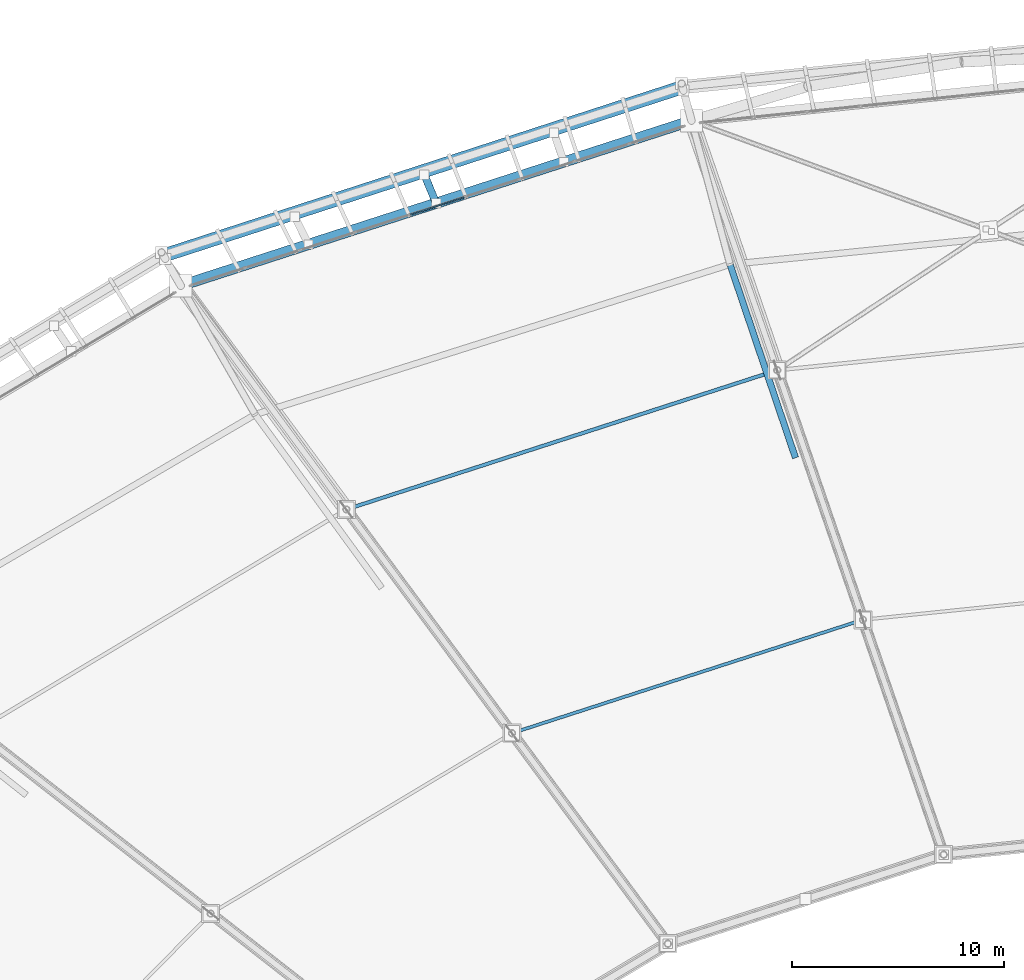
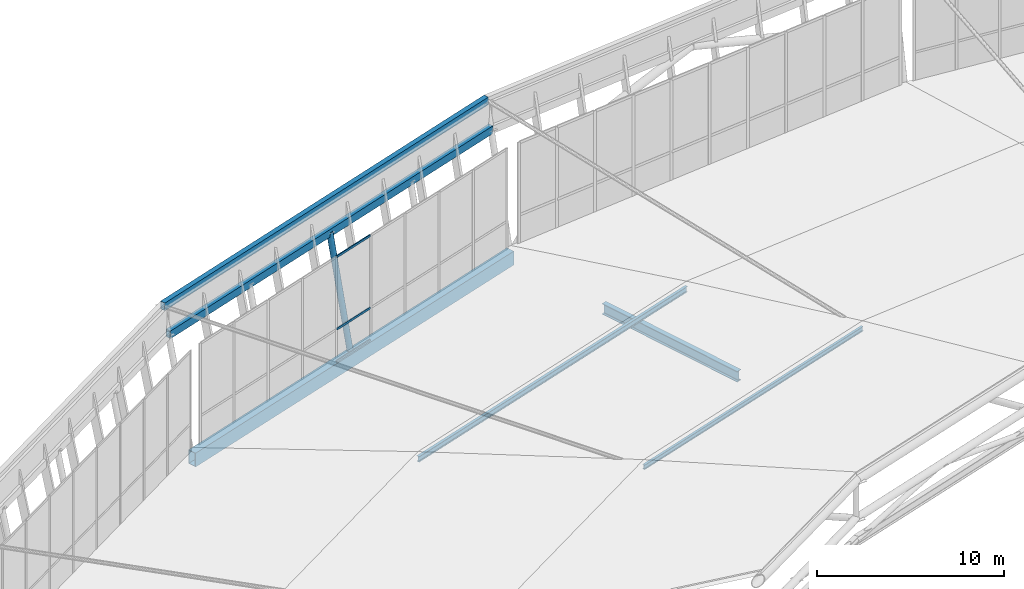
# One storey, part 65 of 115: 6 members, 4 beams, 1 element without a shape of its own.
"""IFC4 building model written with IfcOpenShell, lengths in metres."""

from ifc_helpers import new_model, si_unit, direction, frame, origin, origin_2d, place, context, subcontext, project, spatial, rectangle, hollow_rectangle, hollow_circle, i_section, extrude, material, material_profile, profile_set, type_object, element, aggregate, save


model = new_model("IFC4")

# Units and contexts
model_context = context("Model", 3, precision=1e-05, world=origin(), true_north=direction((0.0, 1.0)))
body_context = subcontext(model_context, "Body", "Model", "MODEL_VIEW")
ifc_project = project(units=[si_unit("LENGTHUNIT", "METRE"), si_unit("AREAUNIT", "SQUARE_METRE"), si_unit("VOLUMEUNIT", "CUBIC_METRE"), si_unit("PLANEANGLEUNIT", "RADIAN"), si_unit("MASSUNIT", "GRAM", prefix="KILO")], contexts=[model_context])

# Site, building, storey
site_placement = place(None, origin())
site = spatial("IfcSite", under=ifc_project, at=site_placement, CompositionType="ELEMENT")
building_placement = place(site_placement, origin())
building = spatial("IfcBuilding", under=site, at=building_placement, Name="Zlatoyarsky Gate Stadium", CompositionType="ELEMENT")
storey_placement = place(building_placement, frame((0.0, 0.0, 31.800048828125)))
storey = spatial("IfcBuildingStorey", under=building, at=storey_placement, Name="RF", CompositionType="ELEMENT", Elevation=31.800048828125)

# Curtain wall, members
ifc_material_1 = material(Name="Thermally broken anodised aluminium curtain wall", Category="aluminium")
curtain_wall_type = type_object("IfcCurtainWallType", Name="UNITISED SKYBOX RING GLAZING L05", PredefinedType="USERDEFINED", material=ifc_material_1)
curtain_wall_placement = place(storey_placement, origin())
curtain_wall = element("IfcCurtainWall", 1, at=curtain_wall_placement, inside=storey, type_object=curtain_wall_type, Name="Curtain wall CW-RF-07", ObjectType="UNITISED GLAZING", PredefinedType="USERDEFINED")
ifc_material_2 = material(Name="Anodised aluminium 6063-T6", Category="aluminium")
ifc_material_profile_1 = material_profile(ifc_material_2, rectangle(XDim=0.06494140625, YDim=0.139892578125, at=origin_2d()), Name="ALU 65X140")
ifc_profile_set_1 = profile_set([ifc_material_profile_1], Name="Anodised aluminium 6063-T6")
member_type_1 = type_object("IfcMemberType", Name="ALUMINIUM TRANSOM 65X140", PredefinedType="USERDEFINED", material=ifc_profile_set_1)
member_1_placement = place(storey_placement, frame((74.366943359375, 151.751708984375, 0.032470703125), z_axis=(-0.951615985175, -0.307289792801, 0.0), x_axis=(0.307289792801, -0.951615985175, 0.0)))
member_1 = element("IfcMember", 2, at=member_1_placement, type_object=member_type_1, Name="CW-UG5 transom 5.1", ObjectType="TRANSOM", PredefinedType="USERDEFINED", context=body_context, shape_type="SweptSolid", body=[
    extrude(rectangle(XDim=0.06494140625, YDim=0.139892578125, at=origin_2d()), origin(), (0.0, 0.0, 1.0), 2.6591796875),
])
member_2_placement = place(storey_placement, frame((74.366943359375, 151.751708984375, 2.14990234375), z_axis=(-0.951615985175, -0.307289792801, 0.0), x_axis=(0.307289792801, -0.951615985175, 0.0)))
member_2 = element("IfcMember", 3, at=member_2_placement, type_object=member_type_1, Name="CW-UG5 transom 5.2", ObjectType="TRANSOM", PredefinedType="USERDEFINED", context=body_context, shape_type="SweptSolid", body=[
    extrude(rectangle(XDim=0.06494140625, YDim=0.139892578125, at=origin_2d()), origin(), (0.0, 0.0, 1.0), 2.6591796875),
])
member_3_placement = place(storey_placement, frame((74.366943359375, 151.751708984375, 6.867431640625), z_axis=(-0.951615985175, -0.307289792801, 0.0), x_axis=(0.307289792801, -0.951615985175, 0.0)))
member_3 = element("IfcMember", 4, at=member_3_placement, type_object=member_type_1, Name="CW-UG5 transom 5.3", ObjectType="TRANSOM", PredefinedType="USERDEFINED", context=body_context, shape_type="SweptSolid", body=[
    extrude(rectangle(XDim=0.06494140625, YDim=0.139892578125, at=origin_2d()), origin(), (0.0, 0.0, 1.0), 2.6591796875),
])
aggregate(curtain_wall, [member_1, member_2, member_3])

# Members
ifc_material_3 = material(Name="Steel S355", Category="steel")
ifc_material_profile_2 = material_profile(ifc_material_3, i_section(OverallWidth=0.14990234375, OverallDepth=0.300048828125, WebThickness=0.007080078125, FlangeThickness=0.0107421875, FilletRadius=0.014892578125, at=origin_2d()), Name="IPE 300")
ifc_profile_set_2 = profile_set([ifc_material_profile_2], Name="Steel S355")
member_type_2 = type_object("IfcMemberType", Name="STEEL BOWL ROOF PURLIN IPE 300", PredefinedType="PURLIN", material=ifc_profile_set_2)
member_4_placement = place(storey_placement, frame((93.208984375, 131.79345703125, 6.329833984375), z_axis=(-0.951560451481, -0.307461716603, 0.0), x_axis=(0.307461716603, -0.951560451481, 0.0)))
element("IfcMember", 5, at=member_4_placement, inside=storey, type_object=member_type_2, Name="Stadium roof purlin 07.2", PredefinedType="PURLIN", context=body_context, shape_type="SweptSolid", body=[
    extrude(i_section(OverallWidth=0.14990234375, OverallDepth=0.300048828125, WebThickness=0.007080078125, FlangeThickness=0.0107421875, FilletRadius=0.014892578125, at=origin_2d()), origin(), (0.0, 0.0, 1.0), 17.42236328125),
])
ifc_material_profile_3 = material_profile(ifc_material_3, hollow_circle(Radius=0.177734375, WallThickness=0.02001953125, at=origin_2d()), Name="CHS 355.6X20")
ifc_profile_set_3 = profile_set([ifc_material_profile_3], Name="Steel S355")
member_type_3 = type_object("IfcMemberType", Name="STEEL LEANING RIB RING STRUT CHS 355.6X20", PredefinedType="STRUT", material=ifc_profile_set_3)
member_5_placement = place(storey_placement, frame((73.048583984375, 151.471435546875, -0.449951171875), z_axis=(-0.071968598129, 0.173721657737, 0.982161548075), x_axis=(-0.923859353885, -0.382732144245, 0.0)))
element("IfcMember", 6, at=member_5_placement, inside=storey, type_object=member_type_3, Name="Outward-leaning bowl louvre fin rib RF 07-2", PredefinedType="STRUT", context=body_context, shape_type="SweptSolid", body=[
    extrude(hollow_circle(Radius=0.177734375, WallThickness=0.02001953125, at=origin_2d()), origin(), (0.0, 0.0, 1.0), 7.73779296875),
])
ifc_material_profile_4 = material_profile(ifc_material_3, i_section(OverallWidth=0.169921875, OverallDepth=0.360107421875, WebThickness=0.008056640625, FlangeThickness=0.0126953125, FilletRadius=0.01806640625, at=origin_2d()), Name="IPE 360")
ifc_profile_set_4 = profile_set([ifc_material_profile_4], Name="Steel S355")
member_type_4 = type_object("IfcMemberType", Name="STEEL LONG SPAN PURLIN IPE 360", PredefinedType="PURLIN", material=ifc_profile_set_4)
member_6_placement = place(storey_placement, frame((89.159912109375, 143.581298828125, 3.179931640625), z_axis=(-0.951559496613, -0.3074646718, 0.0), x_axis=(0.3074646718, -0.951559496613, 0.0)))
element("IfcMember", 7, at=member_6_placement, inside=storey, type_object=member_type_4, Name="Stadium roof purlin 07.1", PredefinedType="PURLIN", context=body_context, shape_type="SweptSolid", body=[
    extrude(i_section(OverallWidth=0.169921875, OverallDepth=0.360107421875, WebThickness=0.008056640625, FlangeThickness=0.0126953125, FilletRadius=0.01806640625, at=origin_2d()), origin(), (0.0, 0.0, 1.0), 21.3876953125),
])

# Beams
ifc_material_profile_5 = material_profile(ifc_material_3, hollow_rectangle(XDim=0.300048828125, YDim=0.5, WallThickness=0.02001953125, at=origin_2d()), Name="RHS 500X300X20")
ifc_profile_set_5 = profile_set([ifc_material_profile_5], Name="Steel S355")
beam_type_1 = type_object("IfcBeamType", Name="STEEL LOUVRE CARRIER SPANDREL RHS 500X300X20", PredefinedType="SPANDREL", material=ifc_profile_set_5)
beam_1_placement = place(storey_placement, frame((84.731201171875, 156.78662109375, 7.14990234375), z_axis=(-0.951193244379, -0.308595871405, 0.0), x_axis=(0.308595871405, -0.951193244379, 0.0)))
element("IfcBeam", 8, at=beam_1_placement, inside=storey, type_object=beam_type_1, Name="Crown eaves fascia bottom carrier spandrel 07", PredefinedType="SPANDREL", context=body_context, shape_type="SweptSolid", body=[
    extrude(hollow_rectangle(XDim=0.300048828125, YDim=0.5, WallThickness=0.02001953125, at=origin_2d()), origin(), (0.0, 0.0, 1.0), 25.73486328125),
])
beam_2_placement = place(storey_placement, frame((84.640869140625, 157.12353515625, 8.849853515625), z_axis=(-0.951109763834, -0.308853067232, 0.0), x_axis=(0.308853067232, -0.951109763834, 0.0)))
element("IfcBeam", 9, at=beam_2_placement, inside=storey, type_object=beam_type_1, Name="Crown fascia top carrier spandrel 07", PredefinedType="SPANDREL", context=body_context, shape_type="SweptSolid", body=[
    extrude(hollow_rectangle(XDim=0.300048828125, YDim=0.5, WallThickness=0.02001953125, at=origin_2d()), origin(), (0.0, 0.0, 1.0), 25.82568359375),
])
ifc_material_profile_6 = material_profile(ifc_material_3, hollow_rectangle(XDim=0.5, YDim=0.89990234375, WallThickness=0.028076171875, at=origin_2d()), Name="RHS 900X500X28")
ifc_profile_set_6 = profile_set([ifc_material_profile_6], Name="Steel S355")
beam_type_2 = type_object("IfcBeamType", Name="STEEL OUTER COMPRESSION RING BEAM RHS 900X500X28", PredefinedType="USERDEFINED", material=ifc_profile_set_6)
beam_3_placement = place(storey_placement, frame((85.11083984375, 155.368896484375, -0.449951171875), z_axis=(-0.951561657785, -0.307457983199, 0.0), x_axis=(0.307457983199, -0.951561657785, 0.0)))
element("IfcBeam", 10, at=beam_3_placement, inside=storey, type_object=beam_type_2, Name="Outer compression ring beam 07", ObjectType="RING BEAM", PredefinedType="USERDEFINED", context=body_context, shape_type="SweptSolid", body=[
    extrude(hollow_rectangle(XDim=0.5, YDim=0.89990234375, WallThickness=0.028076171875, at=origin_2d()), origin(), (0.0, 0.0, 1.0), 25.352783203125),
])
ifc_material_profile_7 = material_profile(ifc_material_3, i_section(OverallWidth=0.300048828125, OverallDepth=0.699951171875, WebThickness=0.01708984375, FlangeThickness=0.031982421875, FilletRadius=0.027099609375, at=origin_2d()), Name="HEB 700")
ifc_profile_set_7 = profile_set([ifc_material_profile_7], Name="Steel S355")
beam_type_3 = type_object("IfcBeamType", Name="STEEL ROOF RING GIRDER HEB 700", PredefinedType="BEAM", material=ifc_profile_set_7)
beam_4_placement = place(storey_placement, frame((90.02294921875, 139.4423828125, -0.300048828125), z_axis=(-0.320615466182, 0.947209439799, 0.0), x_axis=(-0.947209439799, -0.320615466182, 0.0)))
element("IfcBeam", 11, at=beam_4_placement, inside=storey, type_object=beam_type_3, Name="RF roof tie girder BM-RF-RBC-07", PredefinedType="BEAM", context=body_context, shape_type="SweptSolid", body=[
    extrude(i_section(OverallWidth=0.300048828125, OverallDepth=0.699951171875, WebThickness=0.01708984375, FlangeThickness=0.031982421875, FilletRadius=0.027099609375, at=origin_2d()), origin(), (0.0, 0.0, 1.0), 9.607421875),
])

save(model, "model.ifc")
